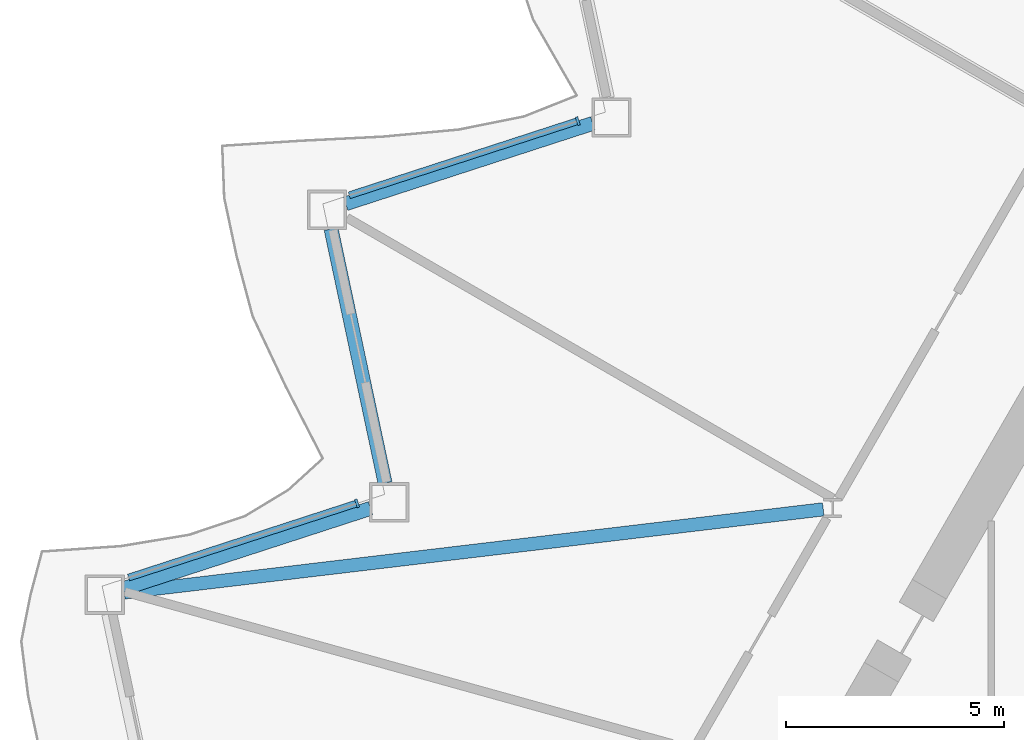
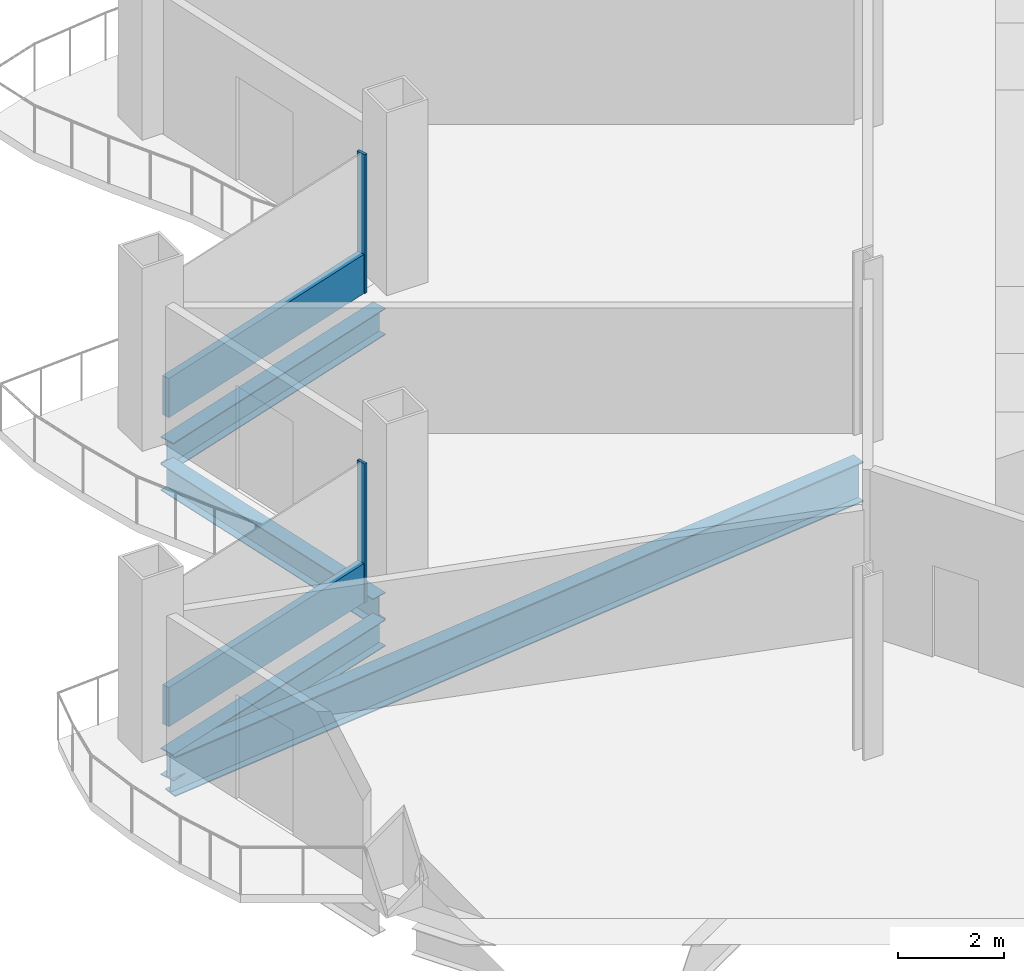
# One storey, part 4 of 21: 4 beams, 4 members, 2 elements without a shape of their own.
"""IFC4 building model written with IfcOpenShell, lengths in metres."""

from ifc_helpers import new_model, si_unit, direction, frame, origin, origin_2d, place, context, subcontext, project, spatial, rectangle, i_section, extrude, material, layer, layer_set, material_profile, profile_set, type_object, element, aggregate, save


model = new_model("IFC4")

# Units and contexts
model_context = context("Model", 3, precision=1e-05, world=origin(), true_north=direction((0.0, 1.0)))
body_context = subcontext(model_context, "Body", "Model", "MODEL_VIEW")
ifc_project = project(units=[si_unit("LENGTHUNIT", "METRE"), si_unit("AREAUNIT", "SQUARE_METRE"), si_unit("VOLUMEUNIT", "CUBIC_METRE"), si_unit("PLANEANGLEUNIT", "RADIAN"), si_unit("MASSUNIT", "GRAM", prefix="KILO")], contexts=[model_context])

# Site, building, storey
site_placement = place(None, origin())
site = spatial("IfcSite", under=ifc_project, at=site_placement, CompositionType="ELEMENT")
building_placement = place(site_placement, origin())
building = spatial("IfcBuilding", under=site, at=building_placement, Name="Cormorant Prow Tower", CompositionType="ELEMENT")
storey_placement = place(building_placement, frame((0.0, 0.0, 141.60009765625)))
storey = spatial("IfcBuildingStorey", under=building, at=storey_placement, Name="L30", CompositionType="ELEMENT", Elevation=141.60009765625)

# Curtain wall, member
ifc_material_1 = material(Name="Aluminium 6063-T6", Category="aluminium")
ifc_layer = layer(ifc_material_1, 0.199951171875)
ifc_layer_set = layer_set([ifc_layer], Name="Aluminium 6063-T6")
curtain_wall_type = type_object("IfcCurtainWallType", Name="Office unitised curtain wall 200", PredefinedType="NOTDEFINED", material=ifc_layer_set)
curtain_wall_1_placement = place(storey_placement, origin())
curtain_wall_1 = element("IfcCurtainWall", 1, at=curtain_wall_1_placement, inside=storey, type_object=curtain_wall_type, Name="Office curtain wall WNW06", PredefinedType="NOTDEFINED")
ifc_material_2 = material(Name="Aluminium 6063-T6", Category="aluminium")
ifc_material_profile_1 = material_profile(ifc_material_2, rectangle(XDim=0.199951171875, YDim=0.06005859375, at=origin_2d()), Name="Office mullion 60x200")
ifc_profile_set_1 = profile_set([ifc_material_profile_1], Name="Aluminium 6063-T6")
member_type_1 = type_object("IfcMemberType", Name="Office mullion 60x200", PredefinedType="MULLION", material=ifc_profile_set_1)
member_1_placement = place(storey_placement, frame((-21.341796875, 5.902099609375, 0.0), z_axis=(0.0, 0.0, 1.0), x_axis=(0.3090170088, -0.951056511608, 0.0)))
member_1 = element("IfcMember", 2, at=member_1_placement, type_object=member_type_1, Name="Office mullion WNW06", PredefinedType="MULLION", context=body_context, shape_type="SweptSolid", body=[
    extrude(rectangle(XDim=0.199951171875, YDim=0.06005859375, at=origin_2d()), origin(), (0.0, 0.0, 1.0), 3.188720703125),
])

curtain_wall_2_placement = place(storey_placement, origin())
curtain_wall_2 = element("IfcCurtainWall", 3, at=curtain_wall_2_placement, inside=storey, type_object=curtain_wall_type, Name="Office curtain wall WNW08", PredefinedType="NOTDEFINED")
member_2_placement = place(storey_placement, frame((-26.40625, -2.869873046875, 0.0), z_axis=(0.0, 0.0, 1.0), x_axis=(0.3090170088, -0.951056511608, 0.0)))
member_2 = element("IfcMember", 4, at=member_2_placement, type_object=member_type_1, Name="Office mullion WNW08", PredefinedType="MULLION", context=body_context, shape_type="SweptSolid", body=[
    extrude(rectangle(XDim=0.199951171875, YDim=0.06005859375, at=origin_2d()), origin(), (0.0, 0.0, 1.0), 3.188720703125),
])

# Member
ifc_material_3 = material(Name="Terracotta", Category="masonry")
ifc_material_profile_2 = material_profile(ifc_material_3, rectangle(XDim=0.159912109375, YDim=0.89990234375, at=origin_2d()), Name="Office terracotta spandrel rail 160x900")
ifc_profile_set_2 = profile_set([ifc_material_profile_2], Name="Terracotta")
member_type_2 = type_object("IfcMemberType", Name="Office terracotta spandrel rail 160x900", PredefinedType="USERDEFINED", material=ifc_profile_set_2)
member_3_placement = place(storey_placement, frame((-21.370361328125, 5.892822265625, 0.449951171875), z_axis=(-0.951055990121, -0.309018613767, 0.0), x_axis=(0.309018613767, -0.951055990121, 0.0)))
member_3 = element("IfcMember", 5, at=member_3_placement, type_object=member_type_2, Name="Office spandrel rail WNW06", ObjectType="TRANSOM", PredefinedType="USERDEFINED", context=body_context, shape_type="SweptSolid", body=[
    extrude(rectangle(XDim=0.159912109375, YDim=0.89990234375, at=origin_2d()), origin(), (0.0, 0.0, 1.0), 5.48291015625),
])

aggregate(curtain_wall_1, [member_1, member_3])

member_4_placement = place(storey_placement, frame((-26.434814453125, -2.879150390625, 0.449951171875), z_axis=(-0.951055990121, -0.309018613767, 0.0), x_axis=(0.309018613767, -0.951055990121, 0.0)))
member_4 = element("IfcMember", 6, at=member_4_placement, type_object=member_type_2, Name="Office spandrel rail WNW08", ObjectType="TRANSOM", PredefinedType="USERDEFINED", context=body_context, shape_type="SweptSolid", body=[
    extrude(rectangle(XDim=0.159912109375, YDim=0.89990234375, at=origin_2d()), origin(), (0.0, 0.0, 1.0), 5.48291015625),
])

aggregate(curtain_wall_2, [member_2, member_4])

# Beams
ifc_material_4 = material(Name="Structural steel ASTM A992 Gr 50", Category="steel")
ifc_material_profile_3 = material_profile(ifc_material_4, i_section(OverallWidth=0.3046875, OverallDepth=0.914794921875, WebThickness=0.0166015625, FlangeThickness=0.02587890625, at=origin_2d()), Name="W36x160")
ifc_profile_set_3 = profile_set([ifc_material_profile_3], Name="Structural steel ASTM A992 Gr 50")
beam_type_1 = type_object("IfcBeamType", Name="Radial floor beam W36x160", PredefinedType="BEAM", material=ifc_profile_set_3)
beam_1_placement = place(storey_placement, frame((-15.70849609375, -3.00732421875, -0.857421875), z_axis=(-0.993009167646, -0.118037252474, 0.0), x_axis=(0.118037252474, -0.993009167646, 0.0)))
element("IfcBeam", 7, at=beam_1_placement, inside=storey, type_object=beam_type_1, Name="Radial floor beam FB1 4 L30", PredefinedType="BEAM", context=body_context, shape_type="SweptSolid", body=[
    extrude(i_section(OverallWidth=0.3046875, OverallDepth=0.914794921875, WebThickness=0.0166015625, FlangeThickness=0.02587890625, at=origin_2d()), origin(), (0.0, 0.0, 1.0), 16.15380859375),
])
ifc_material_5 = material(Name="Structural steel ASTM A992 Gr 50", Category="steel")
ifc_material_profile_4 = material_profile(ifc_material_5, i_section(OverallWidth=0.32373046875, OverallDepth=0.611083984375, WebThickness=0.0126953125, FlangeThickness=0.01904296875, at=origin_2d()), Name="W24x104")
ifc_profile_set_4 = profile_set([ifc_material_profile_4], Name="Structural steel ASTM A992 Gr 50")
beam_type_2 = type_object("IfcBeamType", Name="Spandrel beam W24x104", PredefinedType="SPANDREL", material=ifc_profile_set_4)
beam_2_placement = place(storey_placement, frame((-20.99755859375, 5.847900390625, -0.70556640625), z_axis=(-0.951055430656, -0.309020335608, 0.0), x_axis=(0.309020335608, -0.951055430656, 0.0)))
element("IfcBeam", 8, at=beam_2_placement, inside=storey, type_object=beam_type_2, Name="Spandrel beam SB1 WNW06-WNW07 L30", PredefinedType="SPANDREL", context=body_context, shape_type="SweptSolid", body=[
    extrude(i_section(OverallWidth=0.32373046875, OverallDepth=0.611083984375, WebThickness=0.0126953125, FlangeThickness=0.01904296875, at=origin_2d()), origin(), (0.0, 0.0, 1.0), 5.96240234375),
])
for number, where, z_axis, x_axis, name in (
    (9, (-27.002685546875, 3.426025390625, -0.70556640625), (0.207920947907, -0.978145633033, 0.0), (0.978145633033, 0.207920947907, 0.0), "Spandrel beam SB1 WNW07-WNW08 L30"),
    (10, (-26.097412109375, -2.985595703125, -0.70556640625), (-0.951059340519, -0.309008302174, 0.0), (0.309008302174, -0.951059340519, 0.0), "Spandrel beam SB1 WNW08-WNW09 L30"),
):
    element("IfcBeam", number, at=place(storey_placement, frame(where, z_axis=z_axis, x_axis=x_axis)), inside=storey, type_object=beam_type_2, Name=name, PredefinedType="SPANDREL", context=body_context, shape_type="SweptSolid", body=[
        extrude(i_section(OverallWidth=0.32373046875, OverallDepth=0.611083984375, WebThickness=0.0126953125, FlangeThickness=0.01904296875, at=origin_2d()), origin(), (0.0, 0.0, 1.0), 5.962646484375),
    ])

save(model, "model.ifc")
